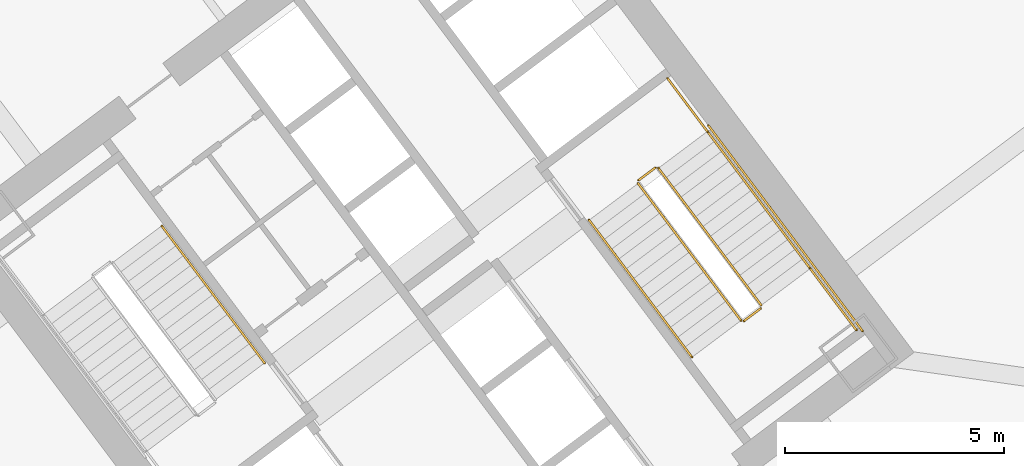
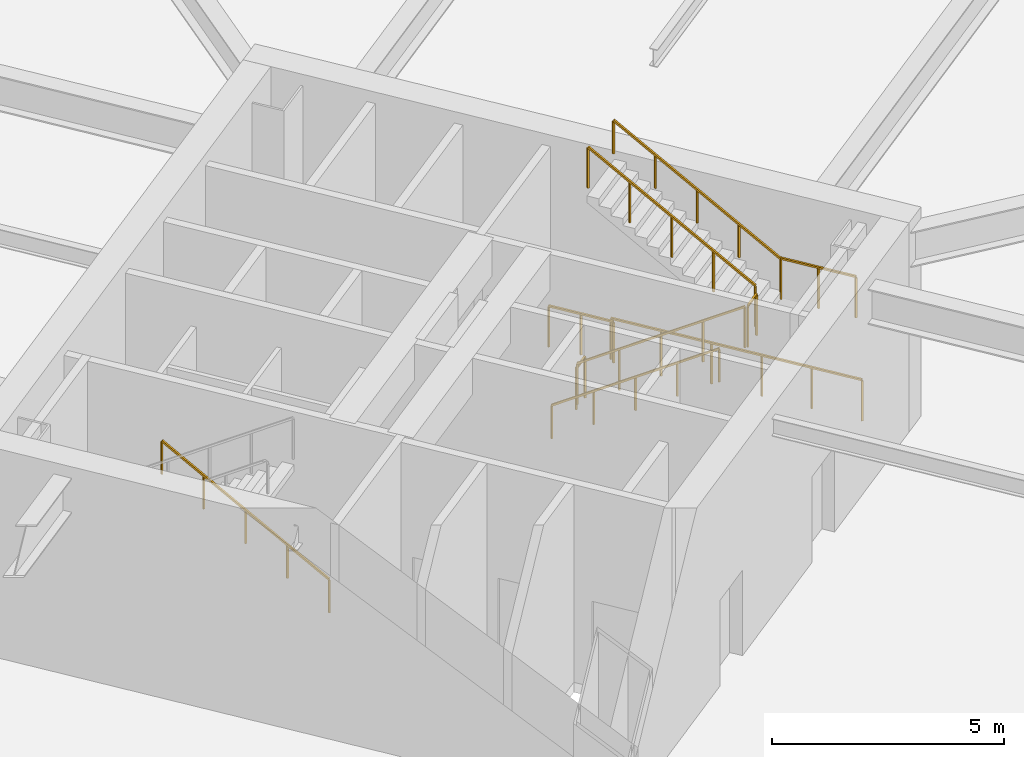
# One storey, part 17 of 17: 10 railings.
"""IFC4 building model written with IfcOpenShell, lengths in metres."""

from ifc_helpers import new_model, si_unit, direction, frame, origin, origin_2d, place, context, subcontext, project, spatial, rectangle, extrude, material, type_object, element, save


model = new_model("IFC4")

# Units and contexts
model_context = context("Model", 3, precision=1e-05, world=origin(), true_north=direction((0.0, 1.0)))
body_context = subcontext(model_context, "Body", "Model", "MODEL_VIEW")
ifc_project = project(units=[si_unit("LENGTHUNIT", "METRE"), si_unit("AREAUNIT", "SQUARE_METRE"), si_unit("VOLUMEUNIT", "CUBIC_METRE"), si_unit("PLANEANGLEUNIT", "RADIAN"), si_unit("MASSUNIT", "GRAM", prefix="KILO")], contexts=[model_context])

# Site, building, storey
site_placement = place(None, origin())
site = spatial("IfcSite", under=ifc_project, at=site_placement, CompositionType="ELEMENT")
building_placement = place(site_placement, origin())
building = spatial("IfcBuilding", under=site, at=building_placement, Name="Tashvorn Skyway Center", CompositionType="ELEMENT")
storey_placement = place(building_placement, frame((0.0, 0.0, -5.5)))
storey = spatial("IfcBuildingStorey", under=building, at=storey_placement, Name="B1", CompositionType="ELEMENT", Elevation=-5.5)

# Railings
ifc_material_1 = material(Name="Brushed stainless steel 316", Category="steel")
railing_type_1 = type_object("IfcRailingType", Name="RAIL-HAND-920", PredefinedType="HANDRAIL", material=ifc_material_1)
railing_1_placement = place(storey_placement, frame((110.2880859375, 30.365966796875, 0.183349609375)))
element("IfcRailing", 1, at=railing_1_placement, inside=storey, type_object=railing_type_1, Name="B1 ST-T2-1 stair handrail 1", PredefinedType="HANDRAIL", context=body_context, shape_type="SweptSolid", body=[
    extrude(rectangle(XDim=0.048095703125, YDim=0.048095703125, at=origin_2d()), frame((0.0, 0.0, 0.8759765625), z_axis=(-0.501981159624, 0.669290844444, 0.54778159966), x_axis=(-0.799992526283, -0.600009964827, 0.0)), (0.0, 0.0, 1.0), 4.685546875),
    extrude(rectangle(XDim=0.0419921875, YDim=0.0419921875, at=origin_2d()), origin(), (0.0, 0.0, 1.0), 0.851806640625),
    extrude(rectangle(XDim=0.0419921875, YDim=0.0419921875, at=origin_2d()), frame((-0.587890625, 0.783935546875, 0.6416015625)), (0.0, 0.0, 1.0), 0.851806640625),
    extrude(rectangle(XDim=0.0419921875, YDim=0.0419921875, at=origin_2d()), frame((-1.176025390625, 1.56787109375, 1.283203125)), (0.0, 0.0, 1.0), 0.851806640625),
    extrude(rectangle(XDim=0.0419921875, YDim=0.0419921875, at=origin_2d()), frame((-1.76416015625, 2.35205078125, 1.925048828125)), (0.0, 0.0, 1.0), 0.851806640625),
    extrude(rectangle(XDim=0.0419921875, YDim=0.0419921875, at=origin_2d()), frame((-2.35205078125, 3.135986328125, 2.566650390625)), (0.0, 0.0, 1.0), 0.851806640625),
])
railing_2_placement = place(storey_placement, frame((117.7119140625, 33.634033203125, 0.183349609375)))
element("IfcRailing", 2, at=railing_2_placement, inside=storey, type_object=railing_type_1, Name="B1 ST-T2-2 stair handrail 1", PredefinedType="HANDRAIL", context=body_context, shape_type="SweptSolid", body=[
    extrude(rectangle(XDim=0.048095703125, YDim=0.048095703125, at=origin_2d()), frame((0.0, 0.0, 0.8759765625), z_axis=(0.501981159624, -0.669290844444, 0.54778159966), x_axis=(0.799992526283, 0.600009964827, 0.0)), (0.0, 0.0, 1.0), 4.685546875),
    extrude(rectangle(XDim=0.0419921875, YDim=0.0419921875, at=origin_2d()), origin(), (0.0, 0.0, 1.0), 0.851806640625),
    extrude(rectangle(XDim=0.0419921875, YDim=0.0419921875, at=origin_2d()), frame((0.587890625, -0.783935546875, 0.6416015625)), (0.0, 0.0, 1.0), 0.851806640625),
    extrude(rectangle(XDim=0.0419921875, YDim=0.0419921875, at=origin_2d()), frame((1.176025390625, -1.56787109375, 1.283203125)), (0.0, 0.0, 1.0), 0.851806640625),
    extrude(rectangle(XDim=0.0419921875, YDim=0.0419921875, at=origin_2d()), frame((1.76416015625, -2.35205078125, 1.925048828125)), (0.0, 0.0, 1.0), 0.851806640625),
    extrude(rectangle(XDim=0.0419921875, YDim=0.0419921875, at=origin_2d()), frame((2.35205078125, -3.135986328125, 2.566650390625)), (0.0, 0.0, 1.0), 0.851806640625),
])
railing_3_placement = place(storey_placement, frame((122.76806640625, 32.52587890625, 2.933349609375)))
element("IfcRailing", 3, at=railing_3_placement, inside=storey, type_object=railing_type_1, Name="B1 ST-T2-2 stair handrail 2", PredefinedType="HANDRAIL", context=body_context, shape_type="SweptSolid", body=[
    extrude(rectangle(XDim=0.048095703125, YDim=0.048095703125, at=origin_2d()), frame((0.0, 0.0, 0.8759765625), z_axis=(-0.501963654013, 0.669319607583, 0.547762496849), x_axis=(-0.800014946318, -0.599980071059, 0.0)), (0.0, 0.0, 1.0), 4.685791015625),
    extrude(rectangle(XDim=0.0419921875, YDim=0.0419921875, at=origin_2d()), origin(), (0.0, 0.0, 1.0), 0.851806640625),
    extrude(rectangle(XDim=0.0419921875, YDim=0.0419921875, at=origin_2d()), frame((-0.587890625, 0.7841796875, 0.6416015625)), (0.0, 0.0, 1.0), 0.851806640625),
    extrude(rectangle(XDim=0.0419921875, YDim=0.0419921875, at=origin_2d()), frame((-1.176025390625, 1.568115234375, 1.283203125)), (0.0, 0.0, 1.0), 0.851806640625),
    extrude(rectangle(XDim=0.0419921875, YDim=0.0419921875, at=origin_2d()), frame((-1.76416015625, 2.35205078125, 1.925048828125)), (0.0, 0.0, 1.0), 0.851806640625),
    extrude(rectangle(XDim=0.0419921875, YDim=0.0419921875, at=origin_2d()), frame((-2.35205078125, 3.13623046875, 2.566650390625)), (0.0, 0.0, 1.0), 0.851806640625),
])
ifc_material_2 = material(Name="Painted galvanized steel S355", Category="steel")
railing_type_2 = type_object("IfcRailingType", Name="RAIL-STGUARD-1100", PredefinedType="GUARDRAIL", material=ifc_material_2)
railing_4_placement = place(storey_placement, frame((118.83203125, 34.47412109375, 0.183349609375)))
element("IfcRailing", 4, at=railing_4_placement, inside=storey, type_object=railing_type_2, Name="B1 ST-T2-2 stair guard 1", PredefinedType="GUARDRAIL", context=body_context, shape_type="SweptSolid", body=[
    extrude(rectangle(XDim=0.048095703125, YDim=0.048095703125, at=origin_2d()), frame((0.0, 0.0, 1.076171875), z_axis=(0.501963654013, -0.669319607583, 0.547762496849), x_axis=(0.800014946318, 0.599980071059, 0.0)), (0.0, 0.0, 1.0), 4.685791015625),
    extrude(rectangle(XDim=0.0419921875, YDim=0.0419921875, at=origin_2d()), origin(), (0.0, 0.0, 1.0), 1.052001953125),
    extrude(rectangle(XDim=0.0419921875, YDim=0.0419921875, at=origin_2d()), frame((0.587890625, -0.7841796875, 0.6416015625)), (0.0, 0.0, 1.0), 1.052001953125),
    extrude(rectangle(XDim=0.0419921875, YDim=0.0419921875, at=origin_2d()), frame((1.176025390625, -1.568115234375, 1.283203125)), (0.0, 0.0, 1.0), 1.052001953125),
    extrude(rectangle(XDim=0.0419921875, YDim=0.0419921875, at=origin_2d()), frame((1.76416015625, -2.35205078125, 1.925048828125)), (0.0, 0.0, 1.0), 1.052001953125),
    extrude(rectangle(XDim=0.0419921875, YDim=0.0419921875, at=origin_2d()), frame((2.35205078125, -3.13623046875, 2.566650390625)), (0.0, 0.0, 1.0), 1.052001953125),
])
railing_5_placement = place(storey_placement, frame((121.25390625, 31.327880859375, 2.75)))
element("IfcRailing", 5, at=railing_5_placement, inside=storey, type_object=railing_type_2, Name="B1 ST-T2-2 stair guard 2", PredefinedType="GUARDRAIL", context=body_context, shape_type="SweptSolid", body=[
    extrude(rectangle(XDim=0.048095703125, YDim=0.048095703125, at=origin_2d()), frame((0.0, 0.0, 1.076171875), z_axis=(0.799938970639, 0.600081363861, 0.0), x_axis=(-0.600081363861, 0.799938970639, 0.0)), (0.0, 0.0, 1.0), 0.47998046875),
    extrude(rectangle(XDim=0.0419921875, YDim=0.0419921875, at=origin_2d()), origin(), (0.0, 0.0, 1.0), 1.052001953125),
    extrude(rectangle(XDim=0.0419921875, YDim=0.0419921875, at=origin_2d()), frame((0.384033203125, 0.2880859375, 0.0)), (0.0, 0.0, 1.0), 1.052001953125),
])
railing_6_placement = place(storey_placement, frame((122.76806640625, 32.52587890625, 2.75)))
element("IfcRailing", 6, at=railing_6_placement, inside=storey, type_object=railing_type_2, Name="B1 ST-T2-2 stair guard 3", PredefinedType="GUARDRAIL", context=body_context, shape_type="SweptSolid", body=[
    extrude(rectangle(XDim=0.048095703125, YDim=0.048095703125, at=origin_2d()), frame((0.0, 0.0, 1.076171875), z_axis=(0.599977804058, -0.800016646475, 0.0), x_axis=(0.800016646475, 0.599977804058, 0.0)), (0.0, 0.0, 1.0), 1.760009765625),
    extrude(rectangle(XDim=0.0419921875, YDim=0.0419921875, at=origin_2d()), origin(), (0.0, 0.0, 1.0), 1.052001953125),
    extrude(rectangle(XDim=0.0419921875, YDim=0.0419921875, at=origin_2d()), frame((0.52783203125, -0.7041015625, 0.0)), (0.0, 0.0, 1.0), 1.052001953125),
    extrude(rectangle(XDim=0.0419921875, YDim=0.0419921875, at=origin_2d()), frame((1.055908203125, -1.407958984375, 0.0)), (0.0, 0.0, 1.0), 1.052001953125),
])
railing_7_placement = place(storey_placement, frame((121.64794921875, 31.68603515625, 2.933349609375)))
element("IfcRailing", 7, at=railing_7_placement, inside=storey, type_object=railing_type_2, Name="B1 ST-T2-2 stair guard 4", PredefinedType="GUARDRAIL", context=body_context, shape_type="SweptSolid", body=[
    extrude(rectangle(XDim=0.048095703125, YDim=0.048095703125, at=origin_2d()), frame((0.0, 0.0, 1.076171875), z_axis=(-0.501981159624, 0.669290844444, 0.54778159966), x_axis=(-0.799992526283, -0.600009964827, 0.0)), (0.0, 0.0, 1.0), 4.685546875),
    extrude(rectangle(XDim=0.0419921875, YDim=0.0419921875, at=origin_2d()), origin(), (0.0, 0.0, 1.0), 1.052001953125),
    extrude(rectangle(XDim=0.0419921875, YDim=0.0419921875, at=origin_2d()), frame((-0.587890625, 0.783935546875, 0.6416015625)), (0.0, 0.0, 1.0), 1.052001953125),
    extrude(rectangle(XDim=0.0419921875, YDim=0.0419921875, at=origin_2d()), frame((-1.176025390625, 1.56787109375, 1.283203125)), (0.0, 0.0, 1.0), 1.052001953125),
    extrude(rectangle(XDim=0.0419921875, YDim=0.0419921875, at=origin_2d()), frame((-1.76416015625, 2.35205078125, 1.925048828125)), (0.0, 0.0, 1.0), 1.052001953125),
    extrude(rectangle(XDim=0.0419921875, YDim=0.0419921875, at=origin_2d()), frame((-2.35205078125, 3.135986328125, 2.566650390625)), (0.0, 0.0, 1.0), 1.052001953125),
])
railing_8_placement = place(storey_placement, frame((118.842041015625, 34.5439453125, 0.0)))
element("IfcRailing", 8, at=railing_8_placement, inside=storey, type_object=railing_type_2, Name="B1 ST-T2-2 stair guard 5", PredefinedType="GUARDRAIL", context=body_context, shape_type="SweptSolid", body=[
    extrude(rectangle(XDim=0.048095703125, YDim=0.048095703125, at=origin_2d()), frame((0.0, 0.0, 1.076171875), z_axis=(0.799938970639, 0.600081363861, 0.0), x_axis=(-0.600081363861, 0.799938970639, 0.0)), (0.0, 0.0, 1.0), 0.47998046875),
    extrude(rectangle(XDim=0.0419921875, YDim=0.0419921875, at=origin_2d()), origin(), (0.0, 0.0, 1.0), 1.052001953125),
    extrude(rectangle(XDim=0.0419921875, YDim=0.0419921875, at=origin_2d()), frame((0.384033203125, 0.2880859375, 0.0)), (0.0, 0.0, 1.0), 1.052001953125),
])
railing_9_placement = place(storey_placement, frame((119.50390625, 36.8779296875, 0.0)))
element("IfcRailing", 9, at=railing_9_placement, inside=storey, type_object=railing_type_2, Name="B1 ST-T2-2 stair guard 6", PredefinedType="GUARDRAIL", context=body_context, shape_type="SweptSolid", body=[
    extrude(rectangle(XDim=0.048095703125, YDim=0.048095703125, at=origin_2d()), frame((0.0, 0.0, 1.076171875), z_axis=(0.600102796382, -0.799922892393, 0.0), x_axis=(0.799922892393, 0.600102796382, 0.0)), (0.0, 0.0, 1.0), 1.52001953125),
    extrude(rectangle(XDim=0.0419921875, YDim=0.0419921875, at=origin_2d()), origin(), (0.0, 0.0, 1.0), 1.052001953125),
    extrude(rectangle(XDim=0.0419921875, YDim=0.0419921875, at=origin_2d()), frame((0.4560546875, -0.60791015625, 0.0)), (0.0, 0.0, 1.0), 1.052001953125),
    extrude(rectangle(XDim=0.0419921875, YDim=0.0419921875, at=origin_2d()), frame((0.912109375, -1.2158203125, 0.0)), (0.0, 0.0, 1.0), 1.052001953125),
])
railing_10_placement = place(storey_placement, frame((120.43603515625, 35.802001953125, 0.0)))
element("IfcRailing", 10, at=railing_10_placement, inside=storey, type_object=railing_type_2, Name="B1 ST-T2-2 stair guard 7", PredefinedType="GUARDRAIL", context=body_context, shape_type="SweptSolid", body=[
    extrude(rectangle(XDim=0.048095703125, YDim=0.048095703125, at=origin_2d()), frame((0.0, 0.0, 1.076171875), z_axis=(0.6, -0.8, 0.0), x_axis=(0.8, 0.6, 0.0)), (0.0, 0.0, 1.0), 5.880126953125),
    extrude(rectangle(XDim=0.0419921875, YDim=0.0419921875, at=origin_2d()), origin(), (0.0, 0.0, 1.0), 1.052001953125),
    extrude(rectangle(XDim=0.0419921875, YDim=0.0419921875, at=origin_2d()), frame((0.70556640625, -0.94091796875, 0.0)), (0.0, 0.0, 1.0), 1.052001953125),
    extrude(rectangle(XDim=0.0419921875, YDim=0.0419921875, at=origin_2d()), frame((1.4111328125, -1.881591796875, 0.0)), (0.0, 0.0, 1.0), 1.052001953125),
    extrude(rectangle(XDim=0.0419921875, YDim=0.0419921875, at=origin_2d()), frame((2.116943359375, -2.822509765625, 0.0)), (0.0, 0.0, 1.0), 1.052001953125),
    extrude(rectangle(XDim=0.0419921875, YDim=0.0419921875, at=origin_2d()), frame((2.822509765625, -3.76318359375, 0.0)), (0.0, 0.0, 1.0), 1.052001953125),
    extrude(rectangle(XDim=0.0419921875, YDim=0.0419921875, at=origin_2d()), frame((3.528076171875, -4.7041015625, 0.0)), (0.0, 0.0, 1.0), 1.052001953125),
])

save(model, "model.ifc")
